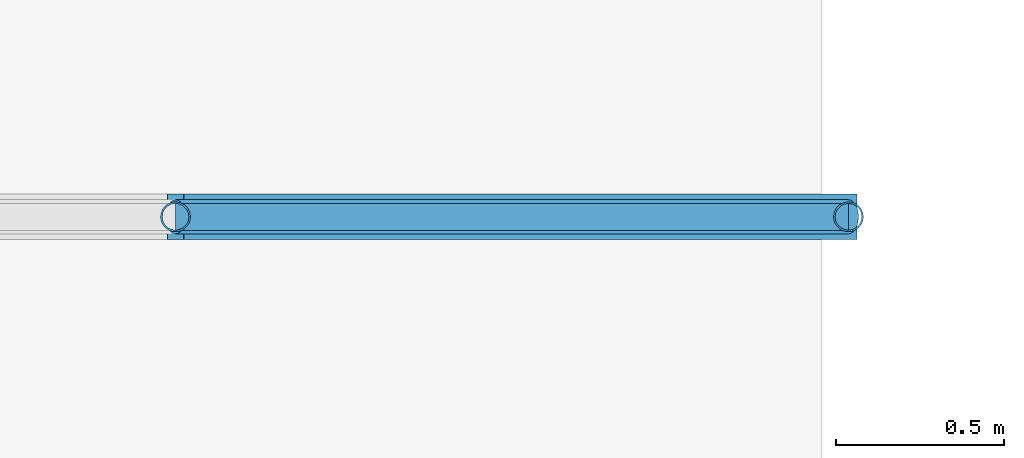
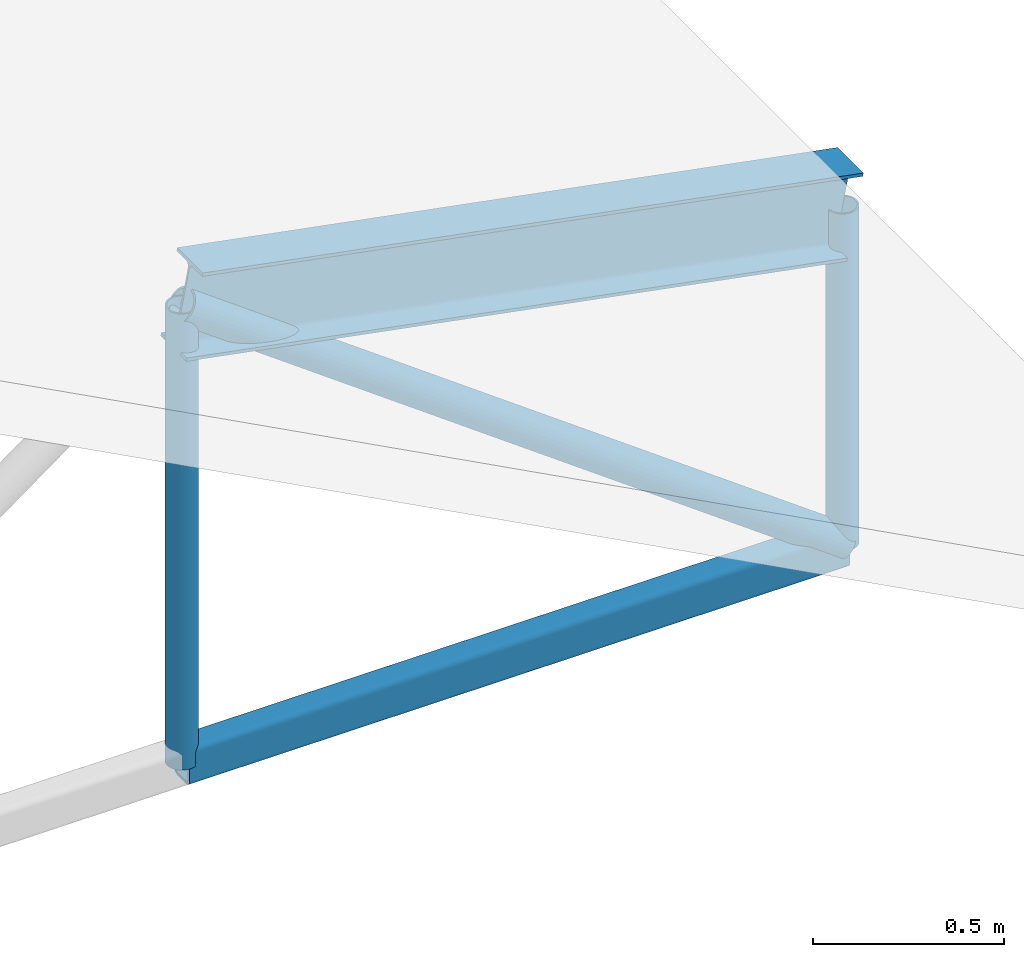
# One storey, part 24 of 54: 5 members.
"""IFC4 building model written with IfcOpenShell, lengths in metres."""

from ifc_helpers import new_model, si_unit, derived_unit, direction, frame, origin, origin_2d, place, context, subcontext, project, spatial, hollow_rectangle, hollow_circle, i_section, extrude, material, material_profile, profile_set, type_object, element, save


model = new_model("IFC4")

# Units and contexts
model_context = context("Model", 3, precision=1e-05, world=origin(), true_north=direction((0.0, 1.0)))
body_context = subcontext(model_context, "Body", "Model", "MODEL_VIEW")
ifc_project = project(units=[si_unit("LENGTHUNIT", "METRE"), si_unit("AREAUNIT", "SQUARE_METRE"), si_unit("VOLUMEUNIT", "CUBIC_METRE"), si_unit("PLANEANGLEUNIT", "RADIAN"), si_unit("MASSUNIT", "GRAM", prefix="KILO"), derived_unit("THERMALTRANSMITTANCEUNIT", [(si_unit("POWERUNIT", "WATT"), 1), (si_unit("LENGTHUNIT", "METRE"), -2), (si_unit("THERMODYNAMICTEMPERATUREUNIT", "KELVIN"), -1)])], contexts=[model_context])

# Site, building, storey
site_placement = place(None, origin())
site = spatial("IfcSite", under=ifc_project, at=site_placement, CompositionType="ELEMENT")
building_placement = place(site_placement, origin())
building = spatial("IfcBuilding", under=site, at=building_placement, Name="Keldorne Ridge Multi-Sports Centre", CompositionType="ELEMENT")
storey_placement = place(building_placement, frame((0.0, 0.0, 22.199951171875)))
storey = spatial("IfcBuildingStorey", under=building, at=storey_placement, Name="ROOF", CompositionType="ELEMENT", Elevation=22.199951171875)

# Members
ifc_material = material(Name="Steel S355", Category="steel")
ifc_material_profile_1 = material_profile(ifc_material, i_section(OverallWidth=0.135009765625, OverallDepth=0.27001953125, WebThickness=0.006591796875, FlangeThickness=0.01025390625, FilletRadius=0.014892578125, at=origin_2d()), Name="IPE 270")
ifc_profile_set_1 = profile_set([ifc_material_profile_1], Name="Steel S355")
member_type_1 = type_object("IfcMemberType", Name="MEM-RF-02", PredefinedType="RAFTER", material=ifc_profile_set_1)
member_1_placement = place(storey_placement, frame((94.0, 38.0, -12.260009765625), z_axis=(0.982435006317, 0.0, -0.186605086649), x_axis=(0.0, 1.0, 0.0)))
element("IfcMember", 1, at=member_1_placement, inside=storey, type_object=member_type_1, Name="Public Passage bowstring arch top chord 05.6", PredefinedType="RAFTER", context=body_context, shape_type="SweptSolid", body=[
    extrude(i_section(OverallWidth=0.135009765625, OverallDepth=0.27001953125, WebThickness=0.006591796875, FlangeThickness=0.01025390625, FilletRadius=0.014892578125, at=origin_2d()), origin(), (0.0, 0.0, 1.0), 2.03564453125),
])
ifc_material_profile_2 = material_profile(ifc_material, hollow_rectangle(XDim=0.080078125, YDim=0.1201171875, WallThickness=0.008056640625, InnerFilletRadius=0.008056640625, OuterFilletRadius=0.01611328125, at=origin_2d()), Name="RHS 120x80x8")
ifc_profile_set_2 = profile_set([ifc_material_profile_2], Name="Steel S355")
member_type_2 = type_object("IfcMemberType", Name="MEM-TC-07", PredefinedType="CHORD", material=ifc_profile_set_2)
member_2_placement = place(storey_placement, frame((94.0, 38.0, -13.719970703125), z_axis=(1.0, 0.0, 0.0), x_axis=(0.0, 1.0, 0.0)))
element("IfcMember", 2, at=member_2_placement, inside=storey, type_object=member_type_2, Name="Public Passage bowstring tie chord 05.6", PredefinedType="CHORD", context=body_context, shape_type="SweptSolid", body=[
    extrude(hollow_rectangle(XDim=0.080078125, YDim=0.1201171875, WallThickness=0.008056640625, InnerFilletRadius=0.008056640625, OuterFilletRadius=0.01611328125, at=origin_2d()), origin(), (0.0, 0.0, 1.0), 2.0),
])
ifc_material_profile_3 = material_profile(ifc_material, hollow_circle(Radius=0.05078125, WallThickness=0.00634765625, at=origin_2d()), Name="CHS 101.6x6.3")
ifc_profile_set_3 = profile_set([ifc_material_profile_3], Name="Steel S355")
member_type_3 = type_object("IfcMemberType", Name="MEM-TD-05", PredefinedType="BRACE", material=ifc_profile_set_3)
member_3_placement = place(storey_placement, frame((94.0, 38.0, -12.260009765625), z_axis=(0.8076945033, 0.0, -0.589601212125), x_axis=(0.0, 1.0, 0.0)))
element("IfcMember", 3, at=member_3_placement, inside=storey, type_object=member_type_3, Name="Public Passage bowstring web diagonal 05.6", PredefinedType="BRACE", context=body_context, shape_type="SweptSolid", body=[
    extrude(hollow_circle(Radius=0.05078125, WallThickness=0.00634765625, at=origin_2d()), origin(), (0.0, 0.0, 1.0), 2.47607421875),
])
ifc_material_profile_4 = material_profile(ifc_material, hollow_circle(Radius=0.04443359375, WallThickness=0.0048828125, at=origin_2d()), Name="CHS 88.9x5")
ifc_profile_set_4 = profile_set([ifc_material_profile_4], Name="Steel S355")
member_type_4 = type_object("IfcMemberType", Name="MEM-TV-07", PredefinedType="STRUT", material=ifc_profile_set_4)
member_4_placement = place(storey_placement, frame((94.0, 38.0, -13.719970703125), z_axis=(0.0, 0.0, 1.0), x_axis=(1.0, 0.0, 0.0)))
element("IfcMember", 4, at=member_4_placement, inside=storey, type_object=member_type_4, Name="Public Passage bowstring hanger 05.6", PredefinedType="STRUT", context=body_context, shape_type="SweptSolid", body=[
    extrude(hollow_circle(Radius=0.04443359375, WallThickness=0.0048828125, at=origin_2d()), origin(), (0.0, 0.0, 1.0), 1.4599609375),
])
member_5_placement = place(storey_placement, frame((96.0, 38.0, -13.719970703125), z_axis=(0.0, 0.0, 1.0), x_axis=(1.0, 0.0, 0.0)))
element("IfcMember", 5, at=member_5_placement, inside=storey, type_object=member_type_4, Name="Public Passage bowstring hanger 05.7", PredefinedType="STRUT", context=body_context, shape_type="SweptSolid", body=[
    extrude(hollow_circle(Radius=0.04443359375, WallThickness=0.0048828125, at=origin_2d()), origin(), (0.0, 0.0, 1.0), 1.080078125),
])

save(model, "model.ifc")
